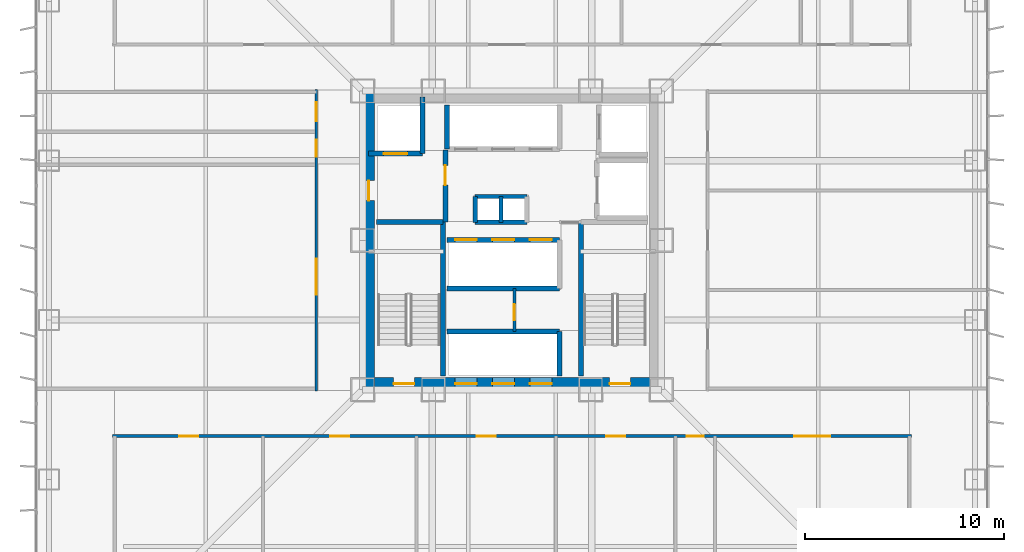
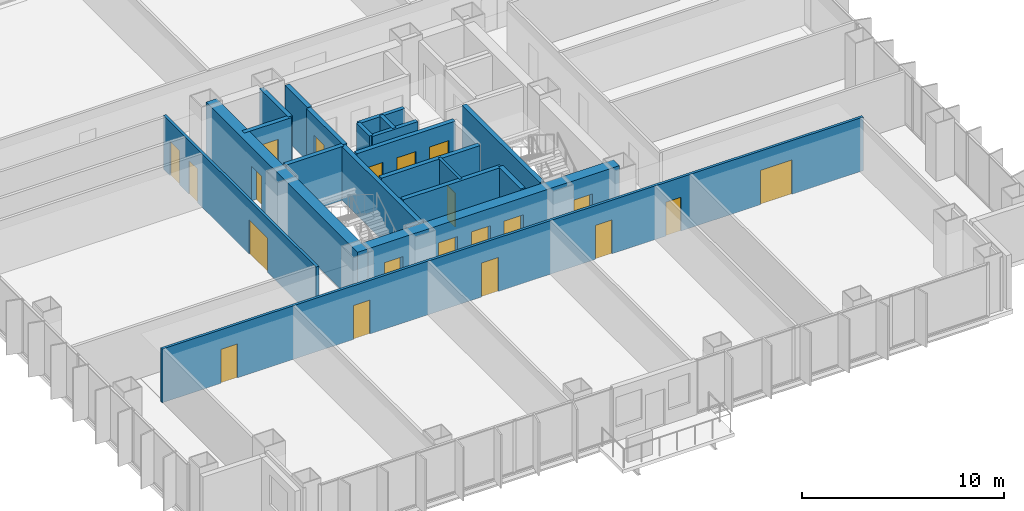
# One storey, part 14 of 21: 21 doors, 20 walls, 21 openings.
"""IFC4 building model written with IfcOpenShell, lengths in metres."""

from ifc_helpers import new_model, si_unit, direction, frame, frame_2d, origin, place, context, subcontext, project, spatial, rectangle, extrude, material, layer, layer_set, type_object, element, fill, save


model = new_model("IFC4")

# Units and contexts
model_context = context("Model", 3, precision=1e-05, world=origin(), true_north=direction((0.0, 1.0)))
body_context = subcontext(model_context, "Body", "Model", "MODEL_VIEW")
ifc_project = project(units=[si_unit("LENGTHUNIT", "METRE"), si_unit("AREAUNIT", "SQUARE_METRE"), si_unit("VOLUMEUNIT", "CUBIC_METRE"), si_unit("PLANEANGLEUNIT", "RADIAN"), si_unit("MASSUNIT", "GRAM", prefix="KILO")], contexts=[model_context])

# Site, building, storey
site_placement = place(None, origin())
site = spatial("IfcSite", under=ifc_project, at=site_placement, CompositionType="ELEMENT")
building_placement = place(site_placement, origin())
building = spatial("IfcBuilding", under=site, at=building_placement, Name="Trevonay Congress Spire", CompositionType="ELEMENT")
storey_placement = place(building_placement, frame((0.0, 0.0, 37.5)))
storey = spatial("IfcBuildingStorey", under=building, at=storey_placement, Name="L08", CompositionType="ELEMENT", Elevation=37.5)

# Wall, openings, doors
ifc_material_1 = material(Name="Concrete C60/75", Category="concrete")
ifc_layer_1 = layer(ifc_material_1, 0.60009765625, Name="Concrete C60/75")
ifc_layer_set_1 = layer_set([ifc_layer_1], Name="Concrete C60/75")
wall_type_1 = type_object("IfcWallType", Name="WAL-CORE-600", PredefinedType="SHEAR", material=ifc_layer_set_1)
wall_1_placement = place(storey_placement, frame((-7.5, -7.199951171875, 0.0), z_axis=(0.0, 0.0, 1.0), x_axis=(1.0, 0.0, 0.0)))
wall_1 = element("IfcWall", 1, at=wall_1_placement, inside=storey, type_object=wall_type_1, Name="L08 South structural core shear wall", PredefinedType="SHEAR", context=body_context, shape_type="SweptSolid", body=[
    extrude(rectangle(XDim=15.0, YDim=0.60009765625, at=frame_2d((7.5, 0.0))), origin(), (0.0, 0.0, 1.0), 3.25),
])
opening_1_placement = place(wall_1_placement, frame((1.550048828125, 0.0, 0.0)))
opening_1 = element("IfcOpeningElement", 2, at=opening_1_placement, cuts=wall_1, Name="Opening D05", PredefinedType="OPENING", context=body_context, shape_type="SweptSolid", body=[
    extrude(rectangle(XDim=1.050048828125, YDim=2.080078125, at=frame_2d((0.52490234375, 1.0400390625))), frame((0.0, 0.31005859375, 0.0), z_axis=(0.0, -1.0, 0.0), x_axis=(1.0, 0.0, 0.0)), (0.0, 0.0, 1.0), 0.6201171875),
])
opening_2_placement = place(wall_1_placement, frame((12.39990234375, 0.0, 0.0)))
opening_2 = element("IfcOpeningElement", 3, at=opening_2_placement, cuts=wall_1, Name="Opening D05", PredefinedType="OPENING", context=body_context, shape_type="SweptSolid", body=[
    extrude(rectangle(XDim=1.050048828125, YDim=2.080078125, at=frame_2d((0.52490234375, 1.0400390625))), frame((0.0, 0.31005859375, 0.0), z_axis=(0.0, -1.0, 0.0), x_axis=(1.0, 0.0, 0.0)), (0.0, 0.0, 1.0), 0.6201171875),
])
opening_3_placement = place(wall_1_placement, frame((4.639892578125, 0.0, 0.0)))
opening_3 = element("IfcOpeningElement", 4, at=opening_3_placement, cuts=wall_1, Name="Opening LD01", PredefinedType="OPENING", context=body_context, shape_type="SweptSolid", body=[
    extrude(rectangle(XDim=1.10009765625, YDim=2.199951171875, at=frame_2d((0.550048828125, 1.10009765625))), frame((0.0, 0.31005859375, 0.0), z_axis=(0.0, -1.0, 0.0), x_axis=(1.0, 0.0, 0.0)), (0.0, 0.0, 1.0), 0.6201171875),
])
opening_4_placement = place(wall_1_placement, frame((6.52001953125, 0.0, 0.0)))
opening_4 = element("IfcOpeningElement", 5, at=opening_4_placement, cuts=wall_1, Name="Opening LD01", PredefinedType="OPENING", context=body_context, shape_type="SweptSolid", body=[
    extrude(rectangle(XDim=1.10009765625, YDim=2.199951171875, at=frame_2d((0.550048828125, 1.10009765625))), frame((0.0, 0.31005859375, 0.0), z_axis=(0.0, -1.0, 0.0), x_axis=(1.0, 0.0, 0.0)), (0.0, 0.0, 1.0), 0.6201171875),
])
opening_5_placement = place(wall_1_placement, frame((8.39990234375, 0.0, 0.0)))
opening_5 = element("IfcOpeningElement", 6, at=opening_5_placement, cuts=wall_1, Name="Opening LD01", PredefinedType="OPENING", context=body_context, shape_type="SweptSolid", body=[
    extrude(rectangle(XDim=1.10009765625, YDim=2.199951171875, at=frame_2d((0.550048828125, 1.10009765625))), frame((0.0, 0.31005859375, 0.0), z_axis=(0.0, -1.0, 0.0), x_axis=(1.0, 0.0, 0.0)), (0.0, 0.0, 1.0), 0.6201171875),
])
ifc_material_2 = material(Name="Pale Anodised Aluminium EN AW-6063-T6", Category="aluminium")
door_type_1 = type_object("IfcDoorType", Name="DOR-LIFT-LD01", OperationType="DOUBLE_DOOR_SLIDING", PredefinedType="DOOR", material=ifc_material_2)
door_1_placement = place(opening_3_placement, origin())
door_1 = element("IfcDoor", 7, at=door_1_placement, inside=storey, type_object=door_type_1, Name="L08 Passenger lift PL-01 landing door", OperationType="DOUBLE_DOOR_SLIDING", OverallHeight=2.199951171875, OverallWidth=1.10009765625, PredefinedType="DOOR", context=body_context, shape_type="SweptSolid", body=[
    extrude(rectangle(XDim=1.10009765625, YDim=2.199951171875, at=frame_2d((0.550048828125, 1.10009765625))), frame((0.0, 0.02490234375, 0.0), z_axis=(0.0, -1.0, 0.0), x_axis=(1.0, 0.0, 0.0)), (0.0, 0.0, 1.0), 0.050048828125),
])
fill(opening_3, door_1)
door_2_placement = place(opening_4_placement, origin())
door_2 = element("IfcDoor", 8, at=door_2_placement, inside=storey, type_object=door_type_1, Name="L08 Passenger lift PL-02 landing door", OperationType="DOUBLE_DOOR_SLIDING", OverallHeight=2.199951171875, OverallWidth=1.10009765625, PredefinedType="DOOR", context=body_context, shape_type="SweptSolid", body=[
    extrude(rectangle(XDim=1.10009765625, YDim=2.199951171875, at=frame_2d((0.550048828125, 1.10009765625))), frame((0.0, 0.02490234375, 0.0), z_axis=(0.0, -1.0, 0.0), x_axis=(1.0, 0.0, 0.0)), (0.0, 0.0, 1.0), 0.050048828125),
])
fill(opening_4, door_2)
door_3_placement = place(opening_5_placement, origin())
door_3 = element("IfcDoor", 9, at=door_3_placement, inside=storey, type_object=door_type_1, Name="L08 Passenger lift PL-03 landing door", OperationType="DOUBLE_DOOR_SLIDING", OverallHeight=2.199951171875, OverallWidth=1.10009765625, PredefinedType="DOOR", context=body_context, shape_type="SweptSolid", body=[
    extrude(rectangle(XDim=1.10009765625, YDim=2.199951171875, at=frame_2d((0.550048828125, 1.10009765625))), frame((0.0, 0.02490234375, 0.0), z_axis=(0.0, -1.0, 0.0), x_axis=(1.0, 0.0, 0.0)), (0.0, 0.0, 1.0), 0.050048828125),
])
fill(opening_5, door_3)
ifc_material_3 = material(Name="Steel ASTM A572 Grade 50", Category="steel")
door_type_2 = type_object("IfcDoorType", Name="DOR-STAIR-110", OperationType="NOTDEFINED", PredefinedType="DOOR", material=ifc_material_3)
door_4_placement = place(opening_1_placement, origin())
door_4 = element("IfcDoor", 10, at=door_4_placement, inside=storey, type_object=door_type_2, Name="L08 Protected Stair ST-1 Door", OperationType="SINGLE_SWING_LEFT", OverallHeight=2.080078125, OverallWidth=1.050048828125, PredefinedType="DOOR", context=body_context, shape_type="SweptSolid", body=[
    extrude(rectangle(XDim=1.050048828125, YDim=2.080078125, at=frame_2d((0.52490234375, 1.0400390625))), frame((0.0, 0.02490234375, 0.0), z_axis=(0.0, -1.0, 0.0), x_axis=(1.0, 0.0, 0.0)), (0.0, 0.0, 1.0), 0.050048828125),
])
fill(opening_1, door_4)
door_5_placement = place(opening_2_placement, origin())
door_5 = element("IfcDoor", 11, at=door_5_placement, inside=storey, type_object=door_type_2, Name="L08 Protected Stair ST-2 Door", OperationType="SINGLE_SWING_RIGHT", OverallHeight=2.080078125, OverallWidth=1.050048828125, PredefinedType="DOOR", context=body_context, shape_type="SweptSolid", body=[
    extrude(rectangle(XDim=1.050048828125, YDim=2.080078125, at=frame_2d((0.52490234375, 1.0400390625))), frame((0.0, 0.02490234375, 0.0), z_axis=(0.0, -1.0, 0.0), x_axis=(1.0, 0.0, 0.0)), (0.0, 0.0, 1.0), 0.050048828125),
])
fill(opening_2, door_5)

# Wall, opening, door
wall_2_placement = place(storey_placement, frame((-7.199951171875, -7.5, 0.0), z_axis=(0.0, 0.0, 1.0), x_axis=(0.0, 1.0, 0.0)))
wall_2 = element("IfcWall", 12, at=wall_2_placement, inside=storey, type_object=wall_type_1, Name="L08 West structural core shear wall", PredefinedType="SHEAR", context=body_context, shape_type="SweptSolid", body=[
    extrude(rectangle(XDim=15.0, YDim=0.60009765625, at=frame_2d((7.5, 0.0))), origin(), (0.0, 0.0, 1.0), 3.25),
])
opening_6_placement = place(wall_2_placement, frame((9.5, 0.0, 0.0)))
opening_6 = element("IfcOpeningElement", 13, at=opening_6_placement, cuts=wall_2, Name="Opening D06", PredefinedType="OPENING", context=body_context, shape_type="SweptSolid", body=[
    extrude(rectangle(XDim=1.0, YDim=2.080078125, at=frame_2d((0.5, 1.0400390625))), frame((0.0, 0.31005859375, 0.0), z_axis=(0.0, -1.0, 0.0), x_axis=(1.0, 0.0, 0.0)), (0.0, 0.0, 1.0), 0.6201171875),
])
door_type_3 = type_object("IfcDoorType", Name="DOR-FIRE-100", OperationType="NOTDEFINED", PredefinedType="DOOR", material=ifc_material_3)
door_6_placement = place(opening_6_placement, origin())
door_6 = element("IfcDoor", 14, at=door_6_placement, inside=storey, type_object=door_type_3, Name="L08 Firefighting Lift Lobby West Corridor Door", OperationType="SINGLE_SWING_LEFT", OverallHeight=2.080078125, OverallWidth=1.0, PredefinedType="DOOR", context=body_context, shape_type="SweptSolid", body=[
    extrude(rectangle(XDim=1.0, YDim=2.080078125, at=frame_2d((0.5, 1.0400390625))), frame((0.0, 0.02490234375, 0.0), z_axis=(0.0, -1.0, 0.0), x_axis=(1.0, 0.0, 0.0)), (0.0, 0.0, 1.0), 0.050048828125),
])
fill(opening_6, door_6)

# Wall, openings, doors
ifc_material_4 = material(Name="Concrete C40/50", Category="concrete")
ifc_layer_2 = layer(ifc_material_4, 0.14990234375, Name="Concrete C40/50")
ifc_layer_set_2 = layer_set([ifc_layer_2], Name="Concrete C40/50")
wall_type_2 = type_object("IfcWallType", Name="WAL-CORR-150", PredefinedType="PARTITIONING", material=ifc_layer_set_2)
wall_3_placement = place(storey_placement, frame((-20.070068359375, -9.830078125, 0.0), z_axis=(0.0, 0.0, 1.0), x_axis=(1.0, 0.0, 0.0)))
wall_3 = element("IfcWall", 15, at=wall_3_placement, inside=storey, type_object=wall_type_2, Name="L08 interior wall WP-L08S-COR", PredefinedType="PARTITIONING", context=body_context, shape_type="SweptSolid", body=[
    extrude(rectangle(XDim=40.14013671875, YDim=0.14990234375, at=frame_2d((20.070068359375, 0.0))), origin(), (0.0, 0.0, 1.0), 3.25),
])
opening_7_placement = place(wall_3_placement, frame((3.3701171875, 0.0, 0.0)))
opening_7 = element("IfcOpeningElement", 16, at=opening_7_placement, cuts=wall_3, Name="Opening D07", PredefinedType="OPENING", context=body_context, shape_type="SweptSolid", body=[
    extrude(rectangle(XDim=0.949951171875, YDim=2.06005859375, at=frame_2d((0.47509765625, 1.030029296875))), frame((0.0, 0.0849609375, 0.0), z_axis=(0.0, -1.0, 0.0), x_axis=(1.0, 0.0, 0.0)), (0.0, 0.0, 1.0), 0.169921875),
])
opening_8_placement = place(wall_3_placement, frame((10.945068359375, 0.0, 0.0)))
opening_8 = element("IfcOpeningElement", 17, at=opening_8_placement, cuts=wall_3, Name="Opening D07", PredefinedType="OPENING", context=body_context, shape_type="SweptSolid", body=[
    extrude(rectangle(XDim=0.949951171875, YDim=2.06005859375, at=frame_2d((0.47509765625, 1.030029296875))), frame((0.0, 0.0849609375, 0.0), z_axis=(0.0, -1.0, 0.0), x_axis=(1.0, 0.0, 0.0)), (0.0, 0.0, 1.0), 0.169921875),
])
opening_9_placement = place(wall_3_placement, frame((18.294921875, 0.0, 0.0)))
opening_9 = element("IfcOpeningElement", 18, at=opening_9_placement, cuts=wall_3, Name="Opening D07", PredefinedType="OPENING", context=body_context, shape_type="SweptSolid", body=[
    extrude(rectangle(XDim=0.949951171875, YDim=2.06005859375, at=frame_2d((0.47509765625, 1.030029296875))), frame((0.0, 0.0849609375, 0.0), z_axis=(0.0, -1.0, 0.0), x_axis=(1.0, 0.0, 0.0)), (0.0, 0.0, 1.0), 0.169921875),
])
opening_10_placement = place(wall_3_placement, frame((24.794921875, 0.0, 0.0)))
opening_10 = element("IfcOpeningElement", 19, at=opening_10_placement, cuts=wall_3, Name="Opening D07", PredefinedType="OPENING", context=body_context, shape_type="SweptSolid", body=[
    extrude(rectangle(XDim=0.949951171875, YDim=2.06005859375, at=frame_2d((0.47509765625, 1.030029296875))), frame((0.0, 0.0849609375, 0.0), z_axis=(0.0, -1.0, 0.0), x_axis=(1.0, 0.0, 0.0)), (0.0, 0.0, 1.0), 0.169921875),
])
opening_11_placement = place(wall_3_placement, frame((28.844970703125, 0.0, 0.0)))
opening_11 = element("IfcOpeningElement", 20, at=opening_11_placement, cuts=wall_3, Name="Opening D10", PredefinedType="OPENING", context=body_context, shape_type="SweptSolid", body=[
    extrude(rectangle(XDim=0.85009765625, YDim=2.050048828125, at=frame_2d((0.425048828125, 1.02490234375))), frame((0.0, 0.0849609375, 0.0), z_axis=(0.0, -1.0, 0.0), x_axis=(1.0, 0.0, 0.0)), (0.0, 0.0, 1.0), 0.169921875),
])
opening_12_placement = place(wall_3_placement, frame((34.2451171875, 0.0, 0.0)))
opening_12 = element("IfcOpeningElement", 21, at=opening_12_placement, cuts=wall_3, Name="Opening D09", PredefinedType="OPENING", context=body_context, shape_type="SweptSolid", body=[
    extrude(rectangle(XDim=1.800048828125, YDim=2.080078125, at=frame_2d((0.89990234375, 1.0400390625))), frame((0.0, 0.0849609375, 0.0), z_axis=(0.0, -1.0, 0.0), x_axis=(1.0, 0.0, 0.0)), (0.0, 0.0, 1.0), 0.169921875),
])
door_type_4 = type_object("IfcDoorType", Name="DOR-CONF-DBL", OperationType="DOUBLE_DOOR_SINGLE_SWING", PredefinedType="DOOR", material=ifc_material_2)
door_7_placement = place(opening_12_placement, origin())
door_7 = element("IfcDoor", 22, at=door_7_placement, inside=storey, type_object=door_type_4, Name="L08 Delegate Seminar Room D Door", OperationType="DOUBLE_DOOR_SINGLE_SWING", OverallHeight=2.080078125, OverallWidth=1.800048828125, PredefinedType="DOOR", context=body_context, shape_type="SweptSolid", body=[
    extrude(rectangle(XDim=1.800048828125, YDim=2.080078125, at=frame_2d((0.89990234375, 1.0400390625))), frame((0.0, 0.02490234375, 0.0), z_axis=(0.0, -1.0, 0.0), x_axis=(1.0, 0.0, 0.0)), (0.0, 0.0, 1.0), 0.050048828125),
])
fill(opening_12, door_7)
door_type_5 = type_object("IfcDoorType", Name="DOR-OFFICE-95", OperationType="NOTDEFINED", PredefinedType="DOOR", material=ifc_material_2)
door_8_placement = place(opening_7_placement, origin())
door_8 = element("IfcDoor", 23, at=door_8_placement, inside=storey, type_object=door_type_5, Name="L08 Delegate Breakout Room A Door", OperationType="SINGLE_SWING_LEFT", OverallHeight=2.06005859375, OverallWidth=0.949951171875, PredefinedType="DOOR", context=body_context, shape_type="SweptSolid", body=[
    extrude(rectangle(XDim=0.949951171875, YDim=2.06005859375, at=frame_2d((0.47509765625, 1.030029296875))), frame((0.0, 0.02490234375, 0.0), z_axis=(0.0, -1.0, 0.0), x_axis=(1.0, 0.0, 0.0)), (0.0, 0.0, 1.0), 0.050048828125),
])
fill(opening_7, door_8)
door_9_placement = place(opening_8_placement, origin())
door_9 = element("IfcDoor", 24, at=door_9_placement, inside=storey, type_object=door_type_5, Name="L08 Delegate Breakout Room B Door", OperationType="SINGLE_SWING_RIGHT", OverallHeight=2.06005859375, OverallWidth=0.949951171875, PredefinedType="DOOR", context=body_context, shape_type="SweptSolid", body=[
    extrude(rectangle(XDim=0.949951171875, YDim=2.06005859375, at=frame_2d((0.47509765625, 1.030029296875))), frame((0.0, 0.02490234375, 0.0), z_axis=(0.0, -1.0, 0.0), x_axis=(1.0, 0.0, 0.0)), (0.0, 0.0, 1.0), 0.050048828125),
])
fill(opening_8, door_9)
door_10_placement = place(opening_9_placement, origin())
door_10 = element("IfcDoor", 25, at=door_10_placement, inside=storey, type_object=door_type_5, Name="L08 Delegate Breakout Room C Door", OperationType="SINGLE_SWING_LEFT", OverallHeight=2.06005859375, OverallWidth=0.949951171875, PredefinedType="DOOR", context=body_context, shape_type="SweptSolid", body=[
    extrude(rectangle(XDim=0.949951171875, YDim=2.06005859375, at=frame_2d((0.47509765625, 1.030029296875))), frame((0.0, 0.02490234375, 0.0), z_axis=(0.0, -1.0, 0.0), x_axis=(1.0, 0.0, 0.0)), (0.0, 0.0, 1.0), 0.050048828125),
])
fill(opening_9, door_10)
door_11_placement = place(opening_10_placement, origin())
door_11 = element("IfcDoor", 26, at=door_11_placement, inside=storey, type_object=door_type_5, Name="L08 Breakout Coffee Lounge Door", OperationType="SINGLE_SWING_RIGHT", OverallHeight=2.06005859375, OverallWidth=0.949951171875, PredefinedType="DOOR", context=body_context, shape_type="SweptSolid", body=[
    extrude(rectangle(XDim=0.949951171875, YDim=2.06005859375, at=frame_2d((0.47509765625, 1.030029296875))), frame((0.0, 0.02490234375, 0.0), z_axis=(0.0, -1.0, 0.0), x_axis=(1.0, 0.0, 0.0)), (0.0, 0.0, 1.0), 0.050048828125),
])
fill(opening_10, door_11)
door_type_6 = type_object("IfcDoorType", Name="DOR-WC-85", OperationType="NOTDEFINED", PredefinedType="DOOR", material=ifc_material_2)
door_12_placement = place(opening_11_placement, origin())
door_12 = element("IfcDoor", 27, at=door_12_placement, inside=storey, type_object=door_type_6, Name="L08 Accessible WC Door", OperationType="SINGLE_SWING_LEFT", OverallHeight=2.050048828125, OverallWidth=0.85009765625, PredefinedType="DOOR", context=body_context, shape_type="SweptSolid", body=[
    extrude(rectangle(XDim=0.85009765625, YDim=2.050048828125, at=frame_2d((0.425048828125, 1.02490234375))), frame((0.0, 0.02490234375, 0.0), z_axis=(0.0, -1.0, 0.0), x_axis=(1.0, 0.0, 0.0)), (0.0, 0.0, 1.0), 0.050048828125),
])
fill(opening_11, door_12)

wall_4_placement = place(storey_placement, frame((-9.830078125, -7.570068359375, 0.0), z_axis=(0.0, 0.0, 1.0), x_axis=(0.0, 1.0, 0.0)))
wall_4 = element("IfcWall", 28, at=wall_4_placement, inside=storey, type_object=wall_type_2, Name="L08 interior wall WP-L08W-COR", PredefinedType="PARTITIONING", context=body_context, shape_type="SweptSolid", body=[
    extrude(rectangle(XDim=15.14013671875, YDim=0.14990234375, at=frame_2d((7.570068359375, 0.0))), origin(), (0.0, 0.0, 1.0), 3.25),
])
opening_13_placement = place(wall_4_placement, frame((4.844970703125, 0.0, 0.0)))
opening_13 = element("IfcOpeningElement", 29, at=opening_13_placement, cuts=wall_4, Name="Opening D09", PredefinedType="OPENING", context=body_context, shape_type="SweptSolid", body=[
    extrude(rectangle(XDim=1.800048828125, YDim=2.080078125, at=frame_2d((0.89990234375, 1.0400390625))), frame((0.0, 0.0849609375, 0.0), z_axis=(0.0, -1.0, 0.0), x_axis=(1.0, 0.0, 0.0)), (0.0, 0.0, 1.0), 0.169921875),
])
opening_14_placement = place(wall_4_placement, frame((11.77001953125, 0.0, 0.0)))
opening_14 = element("IfcOpeningElement", 30, at=opening_14_placement, cuts=wall_4, Name="Opening D10", PredefinedType="OPENING", context=body_context, shape_type="SweptSolid", body=[
    extrude(rectangle(XDim=0.85009765625, YDim=2.050048828125, at=frame_2d((0.425048828125, 1.02490234375))), frame((0.0, 0.0849609375, 0.0), z_axis=(0.0, -1.0, 0.0), x_axis=(1.0, 0.0, 0.0)), (0.0, 0.0, 1.0), 0.169921875),
])
opening_15_placement = place(wall_4_placement, frame((13.544921875, 0.0, 0.0)))
opening_15 = element("IfcOpeningElement", 31, at=opening_15_placement, cuts=wall_4, Name="Opening D07", PredefinedType="OPENING", context=body_context, shape_type="SweptSolid", body=[
    extrude(rectangle(XDim=0.949951171875, YDim=2.06005859375, at=frame_2d((0.47509765625, 1.030029296875))), frame((0.0, 0.0849609375, 0.0), z_axis=(0.0, -1.0, 0.0), x_axis=(1.0, 0.0, 0.0)), (0.0, 0.0, 1.0), 0.169921875),
])
door_13_placement = place(opening_13_placement, origin())
door_13 = element("IfcDoor", 32, at=door_13_placement, inside=storey, type_object=door_type_4, Name="L08 Press Media Briefing Salon Door", OperationType="DOUBLE_DOOR_SINGLE_SWING", OverallHeight=2.080078125, OverallWidth=1.800048828125, PredefinedType="DOOR", context=body_context, shape_type="SweptSolid", body=[
    extrude(rectangle(XDim=1.800048828125, YDim=2.080078125, at=frame_2d((0.89990234375, 1.0400390625))), frame((0.0, 0.02490234375, 0.0), z_axis=(0.0, -1.0, 0.0), x_axis=(1.0, 0.0, 0.0)), (0.0, 0.0, 1.0), 0.050048828125),
])
fill(opening_13, door_13)
door_14_placement = place(opening_15_placement, origin())
door_14 = element("IfcDoor", 33, at=door_14_placement, inside=storey, type_object=door_type_5, Name="L08 Floor Supplies and Copy Room Door", OperationType="SINGLE_SWING_LEFT", OverallHeight=2.06005859375, OverallWidth=0.949951171875, PredefinedType="DOOR", context=body_context, shape_type="SweptSolid", body=[
    extrude(rectangle(XDim=0.949951171875, YDim=2.06005859375, at=frame_2d((0.47509765625, 1.030029296875))), frame((0.0, 0.02490234375, 0.0), z_axis=(0.0, -1.0, 0.0), x_axis=(1.0, 0.0, 0.0)), (0.0, 0.0, 1.0), 0.050048828125),
])
fill(opening_15, door_14)
door_15_placement = place(opening_14_placement, origin())
door_15 = element("IfcDoor", 34, at=door_15_placement, inside=storey, type_object=door_type_6, Name="L08 Male Restroom WC Door", OperationType="SINGLE_SWING_RIGHT", OverallHeight=2.050048828125, OverallWidth=0.85009765625, PredefinedType="DOOR", context=body_context, shape_type="SweptSolid", body=[
    extrude(rectangle(XDim=0.85009765625, YDim=2.050048828125, at=frame_2d((0.425048828125, 1.02490234375))), frame((0.0, 0.02490234375, 0.0), z_axis=(0.0, -1.0, 0.0), x_axis=(1.0, 0.0, 0.0)), (0.0, 0.0, 1.0), 0.050048828125),
])
fill(opening_14, door_15)

# Wall, opening, door
ifc_layer_3 = layer(ifc_material_4, 0.14990234375, Name="Concrete C40/50")
ifc_layer_set_3 = layer_set([ifc_layer_3], Name="Concrete C40/50")
wall_type_3 = type_object("IfcWallType", Name="WAL-PART-150", PredefinedType="PARTITIONING", material=ifc_layer_set_3)
wall_5_placement = place(storey_placement, frame((0.1201171875, -4.570068359375, 0.0), z_axis=(0.0, 0.0, 1.0), x_axis=(0.0, 1.0, 0.0)))
wall_5 = element("IfcWall", 35, at=wall_5_placement, inside=storey, type_object=wall_type_3, Name="L08 interior wall CW-K1-L08", PredefinedType="PARTITIONING", context=body_context, shape_type="SweptSolid", body=[
    extrude(rectangle(XDim=2.14013671875, YDim=0.14990234375, at=frame_2d((1.070068359375, 0.0))), origin(), (0.0, 0.0, 1.0), 3.25),
])
opening_16_placement = place(wall_5_placement, frame((0.550048828125, 0.0, 0.0)))
opening_16 = element("IfcOpeningElement", 36, at=opening_16_placement, cuts=wall_5, Name="Opening D13", PredefinedType="OPENING", context=body_context, shape_type="SweptSolid", body=[
    extrude(rectangle(XDim=0.820068359375, YDim=2.050048828125, at=frame_2d((0.41015625, 1.02490234375))), frame((0.0, 0.0849609375, 0.0), z_axis=(0.0, -1.0, 0.0), x_axis=(1.0, 0.0, 0.0)), (0.0, 0.0, 1.0), 0.169921875),
])
door_type_7 = type_object("IfcDoorType", Name="DOR-UTIL-80", OperationType="NOTDEFINED", PredefinedType="DOOR", material=ifc_material_3)
door_16_placement = place(opening_16_placement, origin())
door_16 = element("IfcDoor", 37, at=door_16_placement, inside=storey, type_object=door_type_7, Name="L08 Core Closet Door", OperationType="SINGLE_SWING_RIGHT", OverallHeight=2.050048828125, OverallWidth=0.820068359375, PredefinedType="DOOR", context=body_context, shape_type="SweptSolid", body=[
    extrude(rectangle(XDim=0.820068359375, YDim=2.050048828125, at=frame_2d((0.41015625, 1.02490234375))), frame((0.0, 0.02490234375, 0.0), z_axis=(0.0, -1.0, 0.0), x_axis=(1.0, 0.0, 0.0)), (0.0, 0.0, 1.0), 0.050048828125),
])
fill(opening_16, door_16)

# Walls
ifc_layer_4 = layer(ifc_material_4, 0.219970703125, Name="Concrete C40/50")
ifc_layer_set_4 = layer_set([ifc_layer_4], Name="Concrete C40/50")
wall_type_4 = type_object("IfcWallType", Name="WAL-SHAFT-220", PredefinedType="PARTITIONING", material=ifc_layer_set_4)
for number, where, z_axis, x_axis, name in (
    (38, (-1.85009765625, 2.199951171875, 0.0), (0.0, 0.0, 1.0), (1.0, 0.0, 0.0), "L08 interior shaft wall WSH-L08-RSR-N"),
    (39, (-1.85009765625, 0.89990234375, 0.0), (0.0, 0.0, 1.0), (1.0, 0.0, 0.0), "L08 interior shaft wall WSH-L08-RSR-S"),
):
    element("IfcWall", number, at=place(storey_placement, frame(where, z_axis=z_axis, x_axis=x_axis)), inside=storey, type_object=wall_type_4, Name=name, PredefinedType="PARTITIONING", context=body_context, shape_type="SweptSolid", body=[
        extrude(rectangle(XDim=2.60009765625, YDim=0.219970703125, at=frame_2d((1.300048828125, 0.0))), origin(), (0.0, 0.0, 1.0), 3.25),
    ])
for number, where, z_axis, x_axis, name in (
    (40, (-0.550048828125, 0.89990234375, 0.0), (0.0, 0.0, 1.0), (0.0, 1.0, 0.0), "L08 interior shaft wall WSH-L08-RSR-M"),
    (41, (-1.85009765625, 0.89990234375, 0.0), (0.0, 0.0, 1.0), (0.0, 1.0, 0.0), "L08 interior shaft wall WSH-L08-RSR-W"),
):
    element("IfcWall", number, at=place(storey_placement, frame(where, z_axis=z_axis, x_axis=x_axis)), inside=storey, type_object=wall_type_4, Name=name, PredefinedType="PARTITIONING", context=body_context, shape_type="SweptSolid", body=[
        extrude(rectangle(XDim=1.300048828125, YDim=0.219970703125, at=frame_2d((0.64990234375, 0.0))), origin(), (0.0, 0.0, 1.0), 3.25),
    ])
ifc_layer_5 = layer(ifc_material_4, 0.25, Name="Concrete C40/50")
ifc_layer_set_5 = layer_set([ifc_layer_5], Name="Concrete C40/50")
wall_type_5 = type_object("IfcWallType", Name="WAL-SHAFT-250", PredefinedType="SHEAR", material=ifc_layer_set_5)
wall_6_placement = place(storey_placement, frame((-3.260009765625, -4.580078125, 0.0), z_axis=(0.0, 0.0, 1.0), x_axis=(1.0, 0.0, 0.0)))
element("IfcWall", 42, at=wall_6_placement, inside=storey, type_object=wall_type_5, Name="L08 interior shaft wall WSH-L08-B1-N", PredefinedType="SHEAR", context=body_context, shape_type="SweptSolid", body=[
    extrude(rectangle(XDim=5.639892578125, YDim=0.25, at=frame_2d((2.81982421875, 0.0))), origin(), (0.0, 0.0, 1.0), 3.25),
])
wall_7_placement = place(storey_placement, frame((2.3798828125, -6.800048828125, 0.0), z_axis=(0.0, 0.0, 1.0), x_axis=(0.0, 1.0, 0.0)))
element("IfcWall", 43, at=wall_7_placement, inside=storey, type_object=wall_type_5, Name="L08 interior shaft wall WSH-L08-B1-E", PredefinedType="SHEAR", context=body_context, shape_type="SweptSolid", body=[
    extrude(rectangle(XDim=2.219970703125, YDim=0.25, at=frame_2d((1.10986328125, 0.0))), origin(), (0.0, 0.0, 1.0), 3.25),
])

# Wall, openings, doors
wall_8_placement = place(storey_placement, frame((-3.260009765625, 0.02001953125, 0.0), z_axis=(0.0, 0.0, 1.0), x_axis=(1.0, 0.0, 0.0)))
wall_8 = element("IfcWall", 44, at=wall_8_placement, inside=storey, type_object=wall_type_5, Name="L08 interior shaft wall WSH-L08-B2-N", PredefinedType="SHEAR", context=body_context, shape_type="SweptSolid", body=[
    extrude(rectangle(XDim=5.639892578125, YDim=0.25, at=frame_2d((2.81982421875, 0.0))), origin(), (0.0, 0.0, 1.0), 3.25),
])
opening_17_placement = place(wall_8_placement, frame((0.39990234375, 0.0, 0.0)))
opening_17 = element("IfcOpeningElement", 45, at=opening_17_placement, cuts=wall_8, Name="Opening LD02", PredefinedType="OPENING", context=body_context, shape_type="SweptSolid", body=[
    extrude(rectangle(XDim=1.10009765625, YDim=2.199951171875, at=frame_2d((0.550048828125, 1.10009765625))), frame((0.0, 0.135009765625, 0.0), z_axis=(0.0, -1.0, 0.0), x_axis=(1.0, 0.0, 0.0)), (0.0, 0.0, 1.0), 0.27001953125),
])
opening_18_placement = place(wall_8_placement, frame((2.280029296875, 0.0, 0.0)))
opening_18 = element("IfcOpeningElement", 46, at=opening_18_placement, cuts=wall_8, Name="Opening LD02", PredefinedType="OPENING", context=body_context, shape_type="SweptSolid", body=[
    extrude(rectangle(XDim=1.10009765625, YDim=2.199951171875, at=frame_2d((0.550048828125, 1.10009765625))), frame((0.0, 0.135009765625, 0.0), z_axis=(0.0, -1.0, 0.0), x_axis=(1.0, 0.0, 0.0)), (0.0, 0.0, 1.0), 0.27001953125),
])
opening_19_placement = place(wall_8_placement, frame((4.159912109375, 0.0, 0.0)))
opening_19 = element("IfcOpeningElement", 47, at=opening_19_placement, cuts=wall_8, Name="Opening LD02", PredefinedType="OPENING", context=body_context, shape_type="SweptSolid", body=[
    extrude(rectangle(XDim=1.10009765625, YDim=2.199951171875, at=frame_2d((0.550048828125, 1.10009765625))), frame((0.0, 0.135009765625, 0.0), z_axis=(0.0, -1.0, 0.0), x_axis=(1.0, 0.0, 0.0)), (0.0, 0.0, 1.0), 0.27001953125),
])
door_type_8 = type_object("IfcDoorType", Name="DOR-LIFT-LD02", OperationType="DOUBLE_DOOR_SLIDING", PredefinedType="DOOR", material=ifc_material_2)
door_17_placement = place(opening_17_placement, origin())
door_17 = element("IfcDoor", 48, at=door_17_placement, inside=storey, type_object=door_type_8, Name="L08 Passenger lift PL-04 landing door", OperationType="DOUBLE_DOOR_SLIDING", OverallHeight=2.199951171875, OverallWidth=1.10009765625, PredefinedType="DOOR", context=body_context, shape_type="SweptSolid", body=[
    extrude(rectangle(XDim=1.10009765625, YDim=2.199951171875, at=frame_2d((0.550048828125, 1.10009765625))), frame((0.0, 0.02490234375, 0.0), z_axis=(0.0, -1.0, 0.0), x_axis=(1.0, 0.0, 0.0)), (0.0, 0.0, 1.0), 0.050048828125),
])
fill(opening_17, door_17)
door_18_placement = place(opening_18_placement, origin())
door_18 = element("IfcDoor", 49, at=door_18_placement, inside=storey, type_object=door_type_8, Name="L08 Passenger lift PL-05 landing door", OperationType="DOUBLE_DOOR_SLIDING", OverallHeight=2.199951171875, OverallWidth=1.10009765625, PredefinedType="DOOR", context=body_context, shape_type="SweptSolid", body=[
    extrude(rectangle(XDim=1.10009765625, YDim=2.199951171875, at=frame_2d((0.550048828125, 1.10009765625))), frame((0.0, 0.02490234375, 0.0), z_axis=(0.0, -1.0, 0.0), x_axis=(1.0, 0.0, 0.0)), (0.0, 0.0, 1.0), 0.050048828125),
])
fill(opening_18, door_18)
door_19_placement = place(opening_19_placement, origin())
door_19 = element("IfcDoor", 50, at=door_19_placement, inside=storey, type_object=door_type_8, Name="L08 Passenger lift PL-06 landing door", OperationType="DOUBLE_DOOR_SLIDING", OverallHeight=2.199951171875, OverallWidth=1.10009765625, PredefinedType="DOOR", context=body_context, shape_type="SweptSolid", body=[
    extrude(rectangle(XDim=1.10009765625, YDim=2.199951171875, at=frame_2d((0.550048828125, 1.10009765625))), frame((0.0, 0.02490234375, 0.0), z_axis=(0.0, -1.0, 0.0), x_axis=(1.0, 0.0, 0.0)), (0.0, 0.0, 1.0), 0.050048828125),
])
fill(opening_19, door_19)

# Walls
wall_9_placement = place(storey_placement, frame((-3.260009765625, -2.419921875, 0.0), z_axis=(0.0, 0.0, 1.0), x_axis=(1.0, 0.0, 0.0)))
element("IfcWall", 51, at=wall_9_placement, inside=storey, type_object=wall_type_5, Name="L08 interior shaft wall WSH-L08-B2-S", PredefinedType="SHEAR", context=body_context, shape_type="SweptSolid", body=[
    extrude(rectangle(XDim=5.639892578125, YDim=0.25, at=frame_2d((2.81982421875, 0.0))), origin(), (0.0, 0.0, 1.0), 3.25),
])
wall_10_placement = place(storey_placement, frame((-3.260009765625, 4.580078125, 0.0), z_axis=(0.0, 0.0, 1.0), x_axis=(0.0, 1.0, 0.0)))
element("IfcWall", 52, at=wall_10_placement, inside=storey, type_object=wall_type_5, Name="L08 interior shaft wall WSH-L08-B3-W", PredefinedType="SHEAR", context=body_context, shape_type="SweptSolid", body=[
    extrude(rectangle(XDim=2.219970703125, YDim=0.25, at=frame_2d((1.10986328125, 0.0))), origin(), (0.0, 0.0, 1.0), 3.25),
])

# Wall, opening, door
wall_11_placement = place(storey_placement, frame((-7.199951171875, 4.35009765625, 0.0), z_axis=(0.0, 0.0, 1.0), x_axis=(1.0, 0.0, 0.0)))
wall_11 = element("IfcWall", 53, at=wall_11_placement, inside=storey, type_object=wall_type_5, Name="L08 interior shaft wall WSH-L08-FF1-S", PredefinedType="SHEAR", context=body_context, shape_type="SweptSolid", body=[
    extrude(rectangle(XDim=2.699951171875, YDim=0.25, at=frame_2d((1.35009765625, 0.0))), origin(), (0.0, 0.0, 1.0), 3.25),
])
opening_20_placement = place(wall_11_placement, frame((0.75, 0.0, 0.0)))
opening_20 = element("IfcOpeningElement", 54, at=opening_20_placement, cuts=wall_11, Name="Opening LD04", PredefinedType="OPENING", context=body_context, shape_type="SweptSolid", body=[
    extrude(rectangle(XDim=1.199951171875, YDim=2.199951171875, at=frame_2d((0.60009765625, 1.10009765625))), frame((0.0, 0.135009765625, 0.0), z_axis=(0.0, -1.0, 0.0), x_axis=(1.0, 0.0, 0.0)), (0.0, 0.0, 1.0), 0.27001953125),
])
door_type_9 = type_object("IfcDoorType", Name="DOR-LIFT-LD04", OperationType="DOUBLE_DOOR_SLIDING", PredefinedType="DOOR", material=ifc_material_3)
door_20_placement = place(opening_20_placement, origin())
door_20 = element("IfcDoor", 55, at=door_20_placement, inside=storey, type_object=door_type_9, Name="L08 Firefighting lift FFL-01 landing door", OperationType="DOUBLE_DOOR_SLIDING", OverallHeight=2.199951171875, OverallWidth=1.199951171875, PredefinedType="DOOR", context=body_context, shape_type="SweptSolid", body=[
    extrude(rectangle(XDim=1.199951171875, YDim=2.199951171875, at=frame_2d((0.60009765625, 1.10009765625))), frame((0.0, 0.02490234375, 0.0), z_axis=(0.0, -1.0, 0.0), x_axis=(1.0, 0.0, 0.0)), (0.0, 0.0, 1.0), 0.050048828125),
])
fill(opening_20, door_20)

# Wall
wall_12_placement = place(storey_placement, frame((-4.5, 4.35009765625, 0.0), z_axis=(0.0, 0.0, 1.0), x_axis=(0.0, 1.0, 0.0)))
element("IfcWall", 56, at=wall_12_placement, inside=storey, type_object=wall_type_5, Name="L08 interior shaft wall WSH-L08-FF1-E", PredefinedType="SHEAR", context=body_context, shape_type="SweptSolid", body=[
    extrude(rectangle(XDim=2.849853515625, YDim=0.25, at=frame_2d((1.4248046875, 0.0))), origin(), (0.0, 0.0, 1.0), 3.25),
])

# Wall, opening, door
wall_13_placement = place(storey_placement, frame((-3.35009765625, 0.919921875, 0.0), z_axis=(0.0, 0.0, 1.0), x_axis=(0.0, 1.0, 0.0)))
wall_13 = element("IfcWall", 57, at=wall_13_placement, inside=storey, type_object=wall_type_5, Name="L08 interior wall CW-FFLW-E-L08", PredefinedType="SHEAR", context=body_context, shape_type="SweptSolid", body=[
    extrude(rectangle(XDim=3.6201171875, YDim=0.25, at=frame_2d((1.81005859375, 0.0))), origin(), (0.0, 0.0, 1.0), 3.25),
])
opening_21_placement = place(wall_13_placement, frame((1.85009765625, 0.0, 0.0)))
opening_21 = element("IfcOpeningElement", 58, at=opening_21_placement, cuts=wall_13, Name="Opening D06", PredefinedType="OPENING", context=body_context, shape_type="SweptSolid", body=[
    extrude(rectangle(XDim=1.0, YDim=2.080078125, at=frame_2d((0.5, 1.0400390625))), frame((0.0, 0.135009765625, 0.0), z_axis=(0.0, -1.0, 0.0), x_axis=(1.0, 0.0, 0.0)), (0.0, 0.0, 1.0), 0.27001953125),
])
door_21_placement = place(opening_21_placement, origin())
door_21 = element("IfcDoor", 59, at=door_21_placement, inside=storey, type_object=door_type_3, Name="L08 Firefighting Core Lobby Transfer Door", OperationType="SINGLE_SWING_RIGHT", OverallHeight=2.080078125, OverallWidth=1.0, PredefinedType="DOOR", context=body_context, shape_type="SweptSolid", body=[
    extrude(rectangle(XDim=1.0, YDim=2.080078125, at=frame_2d((0.5, 1.0400390625))), frame((0.0, 0.02490234375, 0.0), z_axis=(0.0, -1.0, 0.0), x_axis=(1.0, 0.0, 0.0)), (0.0, 0.0, 1.0), 0.050048828125),
])
fill(opening_21, door_21)

# Walls
ifc_layer_6 = layer(ifc_material_4, 0.25, Name="Concrete C40/50")
ifc_layer_set_6 = layer_set([ifc_layer_6], Name="Concrete C40/50")
wall_type_6 = type_object("IfcWallType", Name="WAL-SHAFT-LB-250", PredefinedType="SHEAR", material=ifc_layer_set_6)
wall_14_placement = place(storey_placement, frame((-3.469970703125, -6.800048828125, 0.0), z_axis=(0.0, 0.0, 1.0), x_axis=(0.0, 1.0, 0.0)))
element("IfcWall", 60, at=wall_14_placement, inside=storey, type_object=wall_type_6, Name="L08 interior shaft wall WSH-L08-ST1-E", PredefinedType="SHEAR", context=body_context, shape_type="SweptSolid", body=[
    extrude(rectangle(XDim=7.719970703125, YDim=0.25, at=frame_2d((3.85986328125, 0.0))), origin(), (0.0, 0.0, 1.0), 3.25),
])
wall_15_placement = place(storey_placement, frame((-6.800048828125, 0.919921875, 0.0), z_axis=(0.0, 0.0, 1.0), x_axis=(1.0, 0.0, 0.0)))
element("IfcWall", 61, at=wall_15_placement, inside=storey, type_object=wall_type_6, Name="L08 interior shaft wall WSH-L08-ST1-N", PredefinedType="SHEAR", context=body_context, shape_type="SweptSolid", body=[
    extrude(rectangle(XDim=3.330078125, YDim=0.25, at=frame_2d((1.6650390625, 0.0))), origin(), (0.0, 0.0, 1.0), 3.25),
])
wall_16_placement = place(storey_placement, frame((3.469970703125, -6.800048828125, 0.0), z_axis=(0.0, 0.0, 1.0), x_axis=(0.0, 1.0, 0.0)))
element("IfcWall", 62, at=wall_16_placement, inside=storey, type_object=wall_type_6, Name="L08 interior shaft wall WSH-L08-ST2-W", PredefinedType="SHEAR", context=body_context, shape_type="SweptSolid", body=[
    extrude(rectangle(XDim=7.719970703125, YDim=0.25, at=frame_2d((3.85986328125, 0.0))), origin(), (0.0, 0.0, 1.0), 3.25),
])

save(model, "model.ifc")
